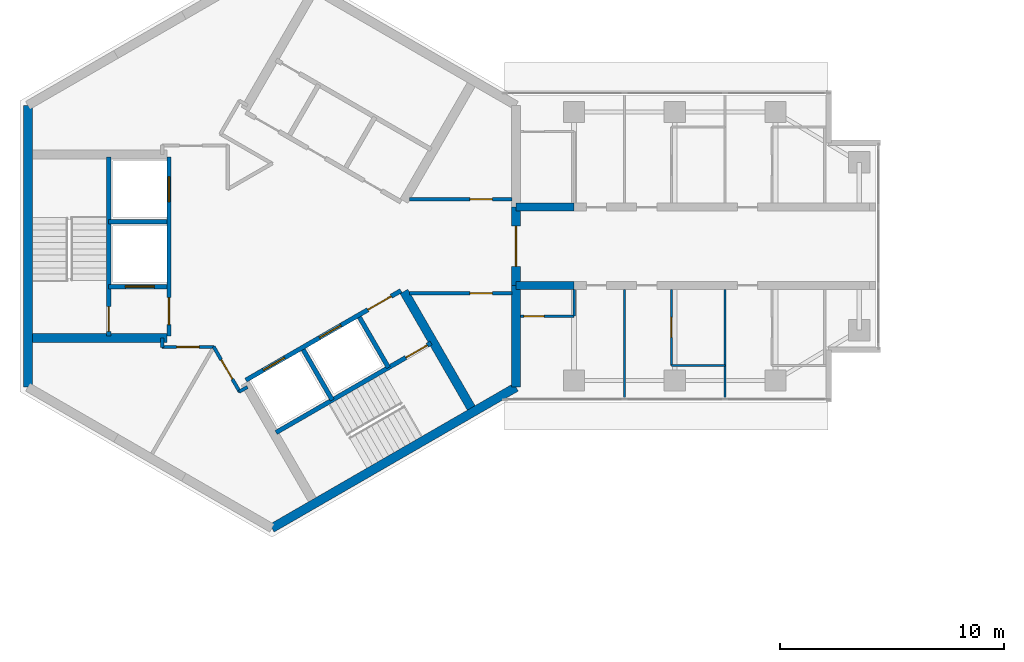
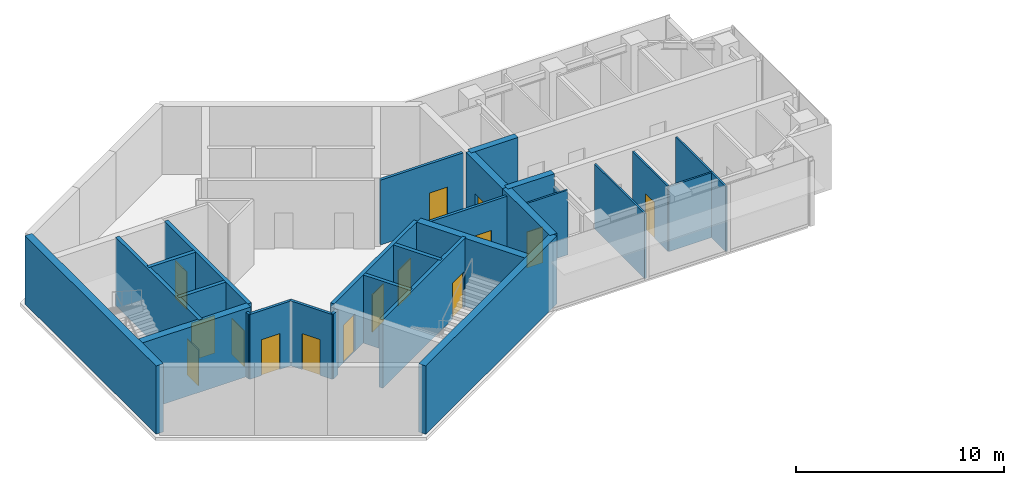
# One storey, part 5 of 11: 28 walls, 15 doors, 15 openings.
"""IFC4 building model written with IfcOpenShell, lengths in metres."""

from ifc_helpers import new_model, si_unit, direction, frame, frame_2d, origin, place, context, subcontext, project, spatial, rectangle, extrude, material, layer, layer_set, type_object, element, fill, save


model = new_model("IFC4")

# Units and contexts
model_context = context("Model", 3, precision=1e-05, world=origin(), true_north=direction((0.0, 1.0)))
body_context = subcontext(model_context, "Body", "Model", "MODEL_VIEW")
ifc_project = project(units=[si_unit("LENGTHUNIT", "METRE"), si_unit("AREAUNIT", "SQUARE_METRE"), si_unit("VOLUMEUNIT", "CUBIC_METRE"), si_unit("PLANEANGLEUNIT", "RADIAN"), si_unit("MASSUNIT", "GRAM", prefix="KILO")], contexts=[model_context])

# Site, building, storey
site_placement = place(None, origin())
site = spatial("IfcSite", under=ifc_project, at=site_placement, CompositionType="ELEMENT")
building_placement = place(site_placement, origin())
building = spatial("IfcBuilding", under=site, at=building_placement, Name="Upepo Twin Towers", CompositionType="ELEMENT")
storey_placement = place(building_placement, frame((0.0, 0.0, 279.5)))
storey = spatial("IfcBuildingStorey", under=building, at=storey_placement, Name="L68", CompositionType="ELEMENT", Elevation=279.5)

# Walls
ifc_material_1 = material(Name="Concrete C60/75", Category="concrete")
ifc_layer_1 = layer(ifc_material_1, 0.35009765625)
ifc_layer_set_1 = layer_set([ifc_layer_1], Name="Concrete C60/75")
wall_type_1 = type_object("IfcWallType", Name="Buttress wall 350 RC", PredefinedType="SHEAR", material=ifc_layer_set_1)
for number, where, z_axis, x_axis, name in (
    (1, (10.908447265625, 1.75, 0.0), (0.0, 0.0, 1.0), (1.0, 0.0, 0.0), "T1 wing A buttress wall L"),
    (2, (10.908447265625, -1.75, 0.0), (0.0, 0.0, 1.0), (1.0, 0.0, 0.0), "T1 wing A buttress wall R"),
):
    element("IfcWall", number, at=place(storey_placement, frame(where, z_axis=z_axis, x_axis=x_axis)), inside=storey, type_object=wall_type_1, Name=name, PredefinedType="SHEAR", context=body_context, shape_type="SweptSolid", body=[
        extrude(rectangle(XDim=2.591552734375, YDim=0.35009765625, at=frame_2d((1.2958984375, 0.0))), origin(), (0.0, 0.0, 1.0), 4.0),
    ])
ifc_material_2 = material(Name="Concrete C60/75", Category="concrete")
ifc_layer_2 = layer(ifc_material_2, 0.39990234375)
ifc_layer_set_2 = layer_set([ifc_layer_2], Name="Concrete C60/75")
wall_type_2 = type_object("IfcWallType", Name="Core wall 400 RC", PredefinedType="SHEAR", material=ifc_layer_set_2)
wall_1_placement = place(storey_placement, frame((10.908447265625, -6.2978515625, 0.0), z_axis=(0.0, 0.0, 1.0), x_axis=(0.0, 1.0, 0.0)))
element("IfcWall", 3, at=wall_1_placement, inside=storey, type_object=wall_type_2, Name="T1 core wall 000 R", PredefinedType="SHEAR", context=body_context, shape_type="SweptSolid", body=[
    extrude(rectangle(XDim=4.5478515625, YDim=0.39990234375, at=frame_2d((2.27392578125, 0.0))), origin(), (0.0, 0.0, 1.0), 4.0),
])

# Wall, opening, door
wall_2_placement = place(storey_placement, frame((10.908447265625, -1.75, 0.0), z_axis=(0.0, 0.0, 1.0), x_axis=(0.0, 1.0, 0.0)))
wall_2 = element("IfcWall", 4, at=wall_2_placement, inside=storey, type_object=wall_type_2, Name="T1 core wall 000", PredefinedType="SHEAR", context=body_context, shape_type="SweptSolid", body=[
    extrude(rectangle(XDim=3.5, YDim=0.39990234375, at=frame_2d((1.75, 0.0))), origin(), (0.0, 0.0, 1.0), 4.0),
])
opening_1_placement = place(wall_2_placement, frame((0.85009765625, 0.0, 0.0)))
opening_1 = element("IfcOpeningElement", 5, at=opening_1_placement, cuts=wall_2, Name="Opening D2", PredefinedType="OPENING", context=body_context, shape_type="SweptSolid", body=[
    extrude(rectangle(XDim=1.800048828125, YDim=2.10009765625, at=frame_2d((0.89990234375, 1.050048828125))), frame((0.0, 0.2099609375, 0.0), z_axis=(0.0, -1.0, 0.0), x_axis=(1.0, 0.0, 0.0)), (0.0, 0.0, 1.0), 0.419921875),
])
ifc_material_3 = material(Name="Timber doorset", Category="wood")
door_type_1 = type_object("IfcDoorType", Name="Corridor double door 1800 FD60", OperationType="DOUBLE_DOOR_DOUBLE_SWING", PredefinedType="DOOR", material=ifc_material_3)
door_1_placement = place(opening_1_placement, origin())
door_1 = element("IfcDoor", 6, at=door_1_placement, inside=storey, type_object=door_type_1, Name="T1 L68 wing A corridor door", OperationType="DOUBLE_DOOR_DOUBLE_SWING", OverallHeight=2.10009765625, OverallWidth=1.800048828125, PredefinedType="DOOR", context=body_context, shape_type="SweptSolid", body=[
    extrude(rectangle(XDim=1.800048828125, YDim=2.10009765625, at=frame_2d((0.89990234375, 1.050048828125))), frame((0.0, 0.02490234375, 0.0), z_axis=(0.0, -1.0, 0.0), x_axis=(1.0, 0.0, 0.0)), (0.0, 0.0, 1.0), 0.050048828125),
])
fill(opening_1, door_1)

# Walls
wall_3_placement = place(storey_placement, frame((-10.908447265625, 6.2978515625, 0.0), z_axis=(0.0, 0.0, 1.0), x_axis=(0.0, -1.0, 0.0)))
element("IfcWall", 7, at=wall_3_placement, inside=storey, type_object=wall_type_2, Name="T1 core wall 180", PredefinedType="SHEAR", context=body_context, shape_type="SweptSolid", body=[
    extrude(rectangle(XDim=12.595703125, YDim=0.39990234375, at=frame_2d((6.2978515625, 0.0))), origin(), (0.0, 0.0, 1.0), 4.0),
])
wall_4_placement = place(storey_placement, frame((0.0, -12.595947265625, 0.0), z_axis=(0.0, 0.0, 1.0), x_axis=(0.866021940709, 0.500005998175, 0.0)))
element("IfcWall", 8, at=wall_4_placement, inside=storey, type_object=wall_type_2, Name="T1 core wall 300", PredefinedType="SHEAR", context=body_context, shape_type="SweptSolid", body=[
    extrude(rectangle(XDim=12.595947265625, YDim=0.39990234375, at=frame_2d((6.2978515625, 0.0))), origin(), (0.0, 0.0, 1.0), 4.0),
])
ifc_material_4 = material(Name="Gypsum board on steel studs", Category="steel")
ifc_layer_3 = layer(ifc_material_4, 0.10009765625)
ifc_layer_set_3 = layer_set([ifc_layer_3], Name="Office partition 100 stud")
wall_type_3 = type_object("IfcWallType", Name="Office partition 100 stud", PredefinedType="PARTITIONING", material=ifc_layer_set_3)
for number, where, z_axis, x_axis, name in (
    (9, (15.75, -1.925048828125, 0.0), (0.0, 0.0, 1.0), (0.0, -1.0, 0.0), "T1 partition AR at 15.75"),
    (10, (20.25, -1.925048828125, 0.0), (0.0, 0.0, 1.0), (0.0, -1.0, 0.0), "T1 partition AR at 20.25"),
):
    element("IfcWall", number, at=place(storey_placement, frame(where, z_axis=z_axis, x_axis=x_axis)), inside=storey, type_object=wall_type_3, Name=name, PredefinedType="PARTITIONING", context=body_context, shape_type="SweptSolid", body=[
        extrude(rectangle(XDim=4.824951171875, YDim=0.10009765625, at=frame_2d((2.41259765625, 0.0))), origin(), (0.0, 0.0, 1.0), 3.800048828125),
    ])
wall_5_placement = place(storey_placement, frame((17.85009765625, -5.324951171875, 0.0), z_axis=(0.0, 0.0, 1.0), x_axis=(1.0, 0.0, 0.0)))
element("IfcWall", 11, at=wall_5_placement, inside=storey, type_object=wall_type_3, Name="T1 inner room partition AR at 17.85", PredefinedType="PARTITIONING", context=body_context, shape_type="SweptSolid", body=[
    extrude(rectangle(XDim=2.39990234375, YDim=0.10009765625, at=frame_2d((1.199951171875, 0.0))), origin(), (0.0, 0.0, 1.0), 3.800048828125),
])

# Wall, opening, door
wall_6_placement = place(storey_placement, frame((17.85009765625, -1.925048828125, 0.0), z_axis=(0.0, 0.0, 1.0), x_axis=(0.0, -1.0, 0.0)))
wall_6 = element("IfcWall", 12, at=wall_6_placement, inside=storey, type_object=wall_type_3, Name="T1 inner room partition AR end at 17.85", PredefinedType="PARTITIONING", context=body_context, shape_type="SweptSolid", body=[
    extrude(rectangle(XDim=3.39990234375, YDim=0.10009765625, at=frame_2d((1.699951171875, 0.0))), origin(), (0.0, 0.0, 1.0), 3.800048828125),
])
opening_2_placement = place(wall_6_placement, frame((1.25, 0.0, 0.0)))
opening_2 = element("IfcOpeningElement", 13, at=opening_2_placement, cuts=wall_6, Name="Opening D14", PredefinedType="OPENING", context=body_context, shape_type="SweptSolid", body=[
    extrude(rectangle(XDim=0.89990234375, YDim=2.10009765625, at=frame_2d((0.449951171875, 1.050048828125))), frame((0.0, 0.06005859375, 0.0), z_axis=(0.0, -1.0, 0.0), x_axis=(1.0, 0.0, 0.0)), (0.0, 0.0, 1.0), 0.1201171875),
])
ifc_material_5 = material(Name="Timber doorset", Category="wood")
door_type_2 = type_object("IfcDoorType", Name="Office door 900 FD30", OperationType="SINGLE_SWING_LEFT", PredefinedType="DOOR", material=ifc_material_5)
door_2_placement = place(opening_2_placement, origin())
door_2 = element("IfcDoor", 14, at=door_2_placement, inside=storey, type_object=door_type_2, Name="T1 L68 inner room door", OperationType="SINGLE_SWING_LEFT", OverallHeight=2.10009765625, OverallWidth=0.89990234375, PredefinedType="DOOR", context=body_context, shape_type="SweptSolid", body=[
    extrude(rectangle(XDim=0.89990234375, YDim=2.10009765625, at=frame_2d((0.449951171875, 1.050048828125))), frame((0.0, 0.02490234375, 0.0), z_axis=(0.0, -1.0, 0.0), x_axis=(1.0, 0.0, 0.0)), (0.0, 0.0, 1.0), 0.050048828125),
])
fill(opening_2, door_2)

wall_7_placement = place(storey_placement, frame((11.10791015625, -3.125, 0.0), z_axis=(0.0, 0.0, 1.0), x_axis=(1.0, 0.0, 0.0)))
wall_7 = element("IfcWall", 15, at=wall_7_placement, inside=storey, type_object=wall_type_3, Name="T1 WC bay partition AR at 11.11", PredefinedType="PARTITIONING", context=body_context, shape_type="SweptSolid", body=[
    extrude(rectangle(XDim=2.400146484375, YDim=0.10009765625, at=frame_2d((1.2001953125, 0.0))), origin(), (0.0, 0.0, 1.0), 3.800048828125),
])
opening_3_placement = place(wall_7_placement, frame((0.14990234375, 0.0, 0.0)))
opening_3 = element("IfcOpeningElement", 16, at=opening_3_placement, cuts=wall_7, Name="Opening D14", PredefinedType="OPENING", context=body_context, shape_type="SweptSolid", body=[
    extrude(rectangle(XDim=0.89990234375, YDim=2.10009765625, at=frame_2d((0.449951171875, 1.050048828125))), frame((0.0, 0.06005859375, 0.0), z_axis=(0.0, -1.0, 0.0), x_axis=(1.0, 0.0, 0.0)), (0.0, 0.0, 1.0), 0.1201171875),
])
door_3_placement = place(opening_3_placement, origin())
door_3 = element("IfcDoor", 17, at=door_3_placement, inside=storey, type_object=door_type_2, Name="T1 L68 WC bay inner room door", OperationType="SINGLE_SWING_LEFT", OverallHeight=2.10009765625, OverallWidth=0.89990234375, PredefinedType="DOOR", context=body_context, shape_type="SweptSolid", body=[
    extrude(rectangle(XDim=0.89990234375, YDim=2.10009765625, at=frame_2d((0.449951171875, 1.050048828125))), frame((0.0, 0.02490234375, 0.0), z_axis=(0.0, -1.0, 0.0), x_axis=(1.0, 0.0, 0.0)), (0.0, 0.0, 1.0), 0.050048828125),
])
fill(opening_3, door_3)

# Wall
wall_8_placement = place(storey_placement, frame((13.508056640625, -1.925048828125, 0.0), z_axis=(0.0, 0.0, 1.0), x_axis=(0.0, -1.0, 0.0)))
element("IfcWall", 18, at=wall_8_placement, inside=storey, type_object=wall_type_3, Name="T1 WC bay partition AR end at 13.51", PredefinedType="PARTITIONING", context=body_context, shape_type="SweptSolid", body=[
    extrude(rectangle(XDim=1.199951171875, YDim=0.10009765625, at=frame_2d((0.60009765625, 0.0))), origin(), (0.0, 0.0, 1.0), 3.266845703125),
])

# Wall, openings, doors
ifc_material_6 = material(Name="Concrete C40/50", Category="concrete")
ifc_layer_4 = layer(ifc_material_6, 0.199951171875)
ifc_layer_set_4 = layer_set([ifc_layer_4], Name="Concrete C40/50")
wall_type_4 = type_object("IfcWallType", Name="Shaft wall 200 RC", PredefinedType="SHEAR", material=ifc_layer_set_4)
wall_9_placement = place(storey_placement, frame((-4.60009765625, 4.0, 0.0), z_axis=(0.0, 0.0, 1.0), x_axis=(0.0, -1.0, 0.0)))
wall_9 = element("IfcWall", 19, at=wall_9_placement, inside=storey, type_object=wall_type_4, Name="T1 core W180 front wall", PredefinedType="SHEAR", context=body_context, shape_type="SweptSolid", body=[
    extrude(rectangle(XDim=8.0, YDim=0.199951171875, at=frame_2d((4.0, 0.0))), origin(), (0.0, 0.0, 1.0), 4.0),
])
opening_4_placement = place(wall_9_placement, frame((6.300048828125, 0.0, 0.0)))
opening_4 = element("IfcOpeningElement", 20, at=opening_4_placement, cuts=wall_9, Name="Opening D4", PredefinedType="OPENING", context=body_context, shape_type="SweptSolid", body=[
    extrude(rectangle(XDim=1.199951171875, YDim=2.10009765625, at=frame_2d((0.60009765625, 1.050048828125))), frame((0.0, 0.10986328125, 0.0), z_axis=(0.0, -1.0, 0.0), x_axis=(1.0, 0.0, 0.0)), (0.0, 0.0, 1.0), 0.219970703125),
])
opening_5_placement = place(wall_9_placement, frame((0.89990234375, 0.0, 0.0)))
opening_5 = element("IfcOpeningElement", 21, at=opening_5_placement, cuts=wall_9, Name="Opening LD1", PredefinedType="OPENING", context=body_context, shape_type="SweptSolid", body=[
    extrude(rectangle(XDim=1.10009765625, YDim=2.199951171875, at=frame_2d((0.550048828125, 1.10009765625))), frame((0.0, 0.10986328125, 0.0), z_axis=(0.0, -1.0, 0.0), x_axis=(1.0, 0.0, 0.0)), (0.0, 0.0, 1.0), 0.219970703125),
])
ifc_material_7 = material(Name="Steel doorset", Category="steel")
door_type_3 = type_object("IfcDoorType", Name="Lift landing door 1100", OperationType="DOUBLE_DOOR_SLIDING", PredefinedType="DOOR", material=ifc_material_7)
door_4_placement = place(opening_5_placement, origin())
door_4 = element("IfcDoor", 22, at=door_4_placement, inside=storey, type_object=door_type_3, Name="T1 L68 lift SV1 landing door", OperationType="DOUBLE_DOOR_SLIDING", OverallHeight=2.199951171875, OverallWidth=1.10009765625, PredefinedType="DOOR", context=body_context, shape_type="SweptSolid", body=[
    extrude(rectangle(XDim=1.10009765625, YDim=2.199951171875, at=frame_2d((0.550048828125, 1.10009765625))), frame((0.0, 0.02490234375, 0.0), z_axis=(0.0, -1.0, 0.0), x_axis=(1.0, 0.0, 0.0)), (0.0, 0.0, 1.0), 0.050048828125),
])
fill(opening_5, door_4)
ifc_material_8 = material(Name="Timber doorset", Category="wood")
door_type_4 = type_object("IfcDoorType", Name="Lobby door 1200 FD60", OperationType="SINGLE_SWING_LEFT", PredefinedType="DOOR", material=ifc_material_8)
door_5_placement = place(opening_4_placement, origin())
door_5 = element("IfcDoor", 23, at=door_5_placement, inside=storey, type_object=door_type_4, Name="T1 L68 W180 lobby door", OperationType="SINGLE_SWING_RIGHT", OverallHeight=2.10009765625, OverallWidth=1.199951171875, PredefinedType="DOOR", context=body_context, shape_type="SweptSolid", body=[
    extrude(rectangle(XDim=1.199951171875, YDim=2.10009765625, at=frame_2d((0.60009765625, 1.050048828125))), frame((0.0, 0.02490234375, 0.0), z_axis=(0.0, -1.0, 0.0), x_axis=(1.0, 0.0, 0.0)), (0.0, 0.0, 1.0), 0.050048828125),
])
fill(opening_4, door_5)

# Wall
wall_10_placement = place(storey_placement, frame((-4.699951171875, 1.10009765625, 0.0), z_axis=(0.0, 0.0, 1.0), x_axis=(-1.0, 0.0, 0.0)))
element("IfcWall", 24, at=wall_10_placement, inside=storey, type_object=wall_type_4, Name="T1 core W180 shaft divider", PredefinedType="SHEAR", context=body_context, shape_type="SweptSolid", body=[
    extrude(rectangle(XDim=2.60009765625, YDim=0.199951171875, at=frame_2d((1.300048828125, 0.0))), origin(), (0.0, 0.0, 1.0), 4.0),
])

# Wall, opening, door
wall_11_placement = place(storey_placement, frame((-4.699951171875, -1.800048828125, 0.0), z_axis=(0.0, 0.0, 1.0), x_axis=(-1.0, 0.0, 0.0)))
wall_11 = element("IfcWall", 25, at=wall_11_placement, inside=storey, type_object=wall_type_4, Name="T1 core W180 lobby wall", PredefinedType="SHEAR", context=body_context, shape_type="SweptSolid", body=[
    extrude(rectangle(XDim=2.60009765625, YDim=0.199951171875, at=frame_2d((1.300048828125, 0.0))), origin(), (0.0, 0.0, 1.0), 4.0),
])
opening_6_placement = place(wall_11_placement, frame((0.550048828125, 0.0, 0.0)))
opening_6 = element("IfcOpeningElement", 26, at=opening_6_placement, cuts=wall_11, Name="Opening LD2", PredefinedType="OPENING", context=body_context, shape_type="SweptSolid", body=[
    extrude(rectangle(XDim=1.300048828125, YDim=2.199951171875, at=frame_2d((0.64990234375, 1.10009765625))), frame((0.0, 0.10986328125, 0.0), z_axis=(0.0, -1.0, 0.0), x_axis=(1.0, 0.0, 0.0)), (0.0, 0.0, 1.0), 0.219970703125),
])
ifc_material_9 = material(Name="Steel doorset", Category="steel")
door_type_5 = type_object("IfcDoorType", Name="Firefighting lift landing door 1300", OperationType="DOUBLE_DOOR_SLIDING", PredefinedType="DOOR", material=ifc_material_9)
door_6_placement = place(opening_6_placement, origin())
door_6 = element("IfcDoor", 27, at=door_6_placement, inside=storey, type_object=door_type_5, Name="T1 L68 firefighting lift landing door", OperationType="DOUBLE_DOOR_SLIDING", OverallHeight=2.199951171875, OverallWidth=1.300048828125, PredefinedType="DOOR", context=body_context, shape_type="SweptSolid", body=[
    extrude(rectangle(XDim=1.300048828125, YDim=2.199951171875, at=frame_2d((0.64990234375, 1.10009765625))), frame((0.0, 0.02490234375, 0.0), z_axis=(0.0, -1.0, 0.0), x_axis=(1.0, 0.0, 0.0)), (0.0, 0.0, 1.0), 0.050048828125),
])
fill(opening_6, door_6)

wall_12_placement = place(storey_placement, frame((-7.300048828125, 4.0, 0.0), z_axis=(0.0, 0.0, 1.0), x_axis=(0.0, -1.0, 0.0)))
wall_12 = element("IfcWall", 28, at=wall_12_placement, inside=storey, type_object=wall_type_4, Name="T1 core W180 stair wall", PredefinedType="SHEAR", context=body_context, shape_type="SweptSolid", body=[
    extrude(rectangle(XDim=8.0, YDim=0.199951171875, at=frame_2d((4.0, 0.0))), origin(), (0.0, 0.0, 1.0), 4.0),
])
opening_7_placement = place(wall_12_placement, frame((6.699951171875, 0.0, 0.0)))
opening_7 = element("IfcOpeningElement", 29, at=opening_7_placement, cuts=wall_12, Name="Opening D3", PredefinedType="OPENING", context=body_context, shape_type="SweptSolid", body=[
    extrude(rectangle(XDim=1.10009765625, YDim=2.10009765625, at=frame_2d((0.550048828125, 1.050048828125))), frame((0.0, 0.10986328125, 0.0), z_axis=(0.0, -1.0, 0.0), x_axis=(1.0, 0.0, 0.0)), (0.0, 0.0, 1.0), 0.219970703125),
])
ifc_material_10 = material(Name="Timber doorset", Category="wood")
door_type_6 = type_object("IfcDoorType", Name="Stair door 1100 FD60", OperationType="SINGLE_SWING_LEFT", PredefinedType="DOOR", material=ifc_material_10)
door_7_placement = place(opening_7_placement, origin())
door_7 = element("IfcDoor", 30, at=door_7_placement, inside=storey, type_object=door_type_6, Name="T1 L68 stair door", OperationType="SINGLE_SWING_RIGHT", OverallHeight=2.10009765625, OverallWidth=1.10009765625, PredefinedType="DOOR", context=body_context, shape_type="SweptSolid", body=[
    extrude(rectangle(XDim=1.10009765625, YDim=2.10009765625, at=frame_2d((0.550048828125, 1.050048828125))), frame((0.0, 0.02490234375, 0.0), z_axis=(0.0, -1.0, 0.0), x_axis=(1.0, 0.0, 0.0)), (0.0, 0.0, 1.0), 0.050048828125),
])
fill(opening_7, door_7)

# Wall, openings, doors
wall_13_placement = place(storey_placement, frame((-1.1640625, -5.983642578125, 0.0), z_axis=(0.0, 0.0, 1.0), x_axis=(0.866026010844, 0.49999894854, 0.0)))
wall_13 = element("IfcWall", 31, at=wall_13_placement, inside=storey, type_object=wall_type_4, Name="T1 core W300 front wall", PredefinedType="SHEAR", context=body_context, shape_type="SweptSolid", body=[
    extrude(rectangle(XDim=8.0, YDim=0.199951171875, at=frame_2d((4.0, 0.0))), origin(), (0.0, 0.0, 1.0), 4.0),
])
opening_8_placement = place(wall_13_placement, frame((6.300048828125, 0.0, 0.0)))
opening_8 = element("IfcOpeningElement", 32, at=opening_8_placement, cuts=wall_13, Name="Opening D4", PredefinedType="OPENING", context=body_context, shape_type="SweptSolid", body=[
    extrude(rectangle(XDim=1.199951171875, YDim=2.10009765625, at=frame_2d((0.60009765625, 1.050048828125))), frame((0.0, 0.10986328125, 0.0), z_axis=(0.0, -1.0, 0.0), x_axis=(1.0, 0.0, 0.0)), (0.0, 0.0, 1.0), 0.219970703125),
])
opening_9_placement = place(wall_13_placement, frame((0.89990234375, 0.0, 0.0)))
opening_9 = element("IfcOpeningElement", 33, at=opening_9_placement, cuts=wall_13, Name="Opening LD1", PredefinedType="OPENING", context=body_context, shape_type="SweptSolid", body=[
    extrude(rectangle(XDim=1.10009765625, YDim=2.199951171875, at=frame_2d((0.550048828125, 1.10009765625))), frame((0.0, 0.10986328125, 0.0), z_axis=(0.0, -1.0, 0.0), x_axis=(1.0, 0.0, 0.0)), (0.0, 0.0, 1.0), 0.219970703125),
])
opening_10_placement = place(wall_13_placement, frame((3.800048828125, 0.0, 0.0)))
opening_10 = element("IfcOpeningElement", 34, at=opening_10_placement, cuts=wall_13, Name="Opening LD1", PredefinedType="OPENING", context=body_context, shape_type="SweptSolid", body=[
    extrude(rectangle(XDim=1.10009765625, YDim=2.199951171875, at=frame_2d((0.550048828125, 1.10009765625))), frame((0.0, 0.10986328125, 0.0), z_axis=(0.0, -1.0, 0.0), x_axis=(1.0, 0.0, 0.0)), (0.0, 0.0, 1.0), 0.219970703125),
])
door_8_placement = place(opening_9_placement, origin())
door_8 = element("IfcDoor", 35, at=door_8_placement, inside=storey, type_object=door_type_3, Name="T1 L68 lift TL1 landing door", OperationType="DOUBLE_DOOR_SLIDING", OverallHeight=2.199951171875, OverallWidth=1.10009765625, PredefinedType="DOOR", context=body_context, shape_type="SweptSolid", body=[
    extrude(rectangle(XDim=1.10009765625, YDim=2.199951171875, at=frame_2d((0.550048828125, 1.10009765625))), frame((0.0, 0.02490234375, 0.0), z_axis=(0.0, -1.0, 0.0), x_axis=(1.0, 0.0, 0.0)), (0.0, 0.0, 1.0), 0.050048828125),
])
fill(opening_9, door_8)
door_9_placement = place(opening_10_placement, origin())
door_9 = element("IfcDoor", 36, at=door_9_placement, inside=storey, type_object=door_type_3, Name="T1 L68 lift TL2 landing door", OperationType="DOUBLE_DOOR_SLIDING", OverallHeight=2.199951171875, OverallWidth=1.10009765625, PredefinedType="DOOR", context=body_context, shape_type="SweptSolid", body=[
    extrude(rectangle(XDim=1.10009765625, YDim=2.199951171875, at=frame_2d((0.550048828125, 1.10009765625))), frame((0.0, 0.02490234375, 0.0), z_axis=(0.0, -1.0, 0.0), x_axis=(1.0, 0.0, 0.0)), (0.0, 0.0, 1.0), 0.050048828125),
])
fill(opening_10, door_9)
door_10_placement = place(opening_8_placement, origin())
door_10 = element("IfcDoor", 37, at=door_10_placement, inside=storey, type_object=door_type_4, Name="T1 L68 W300 lobby door", OperationType="SINGLE_SWING_RIGHT", OverallHeight=2.10009765625, OverallWidth=1.199951171875, PredefinedType="DOOR", context=body_context, shape_type="SweptSolid", body=[
    extrude(rectangle(XDim=1.199951171875, YDim=2.10009765625, at=frame_2d((0.60009765625, 1.050048828125))), frame((0.0, 0.02490234375, 0.0), z_axis=(0.0, -1.0, 0.0), x_axis=(1.0, 0.0, 0.0)), (0.0, 0.0, 1.0), 0.050048828125),
])
fill(opening_8, door_10)

# Walls
wall_14_placement = place(storey_placement, frame((1.3974609375, -4.620361328125, 0.0), z_axis=(0.0, 0.0, 1.0), x_axis=(0.499936506574, -0.866062058628, 0.0)))
element("IfcWall", 38, at=wall_14_placement, inside=storey, type_object=wall_type_4, Name="T1 core W300 shaft divider", PredefinedType="SHEAR", context=body_context, shape_type="SweptSolid", body=[
    extrude(rectangle(XDim=2.599853515625, YDim=0.199951171875, at=frame_2d((1.2998046875, 0.0))), origin(), (0.0, 0.0, 1.0), 4.0),
])
wall_15_placement = place(storey_placement, frame((3.908935546875, -3.17041015625, 0.0), z_axis=(0.0, 0.0, 1.0), x_axis=(0.49997716683, -0.86603858612, 0.0)))
element("IfcWall", 39, at=wall_15_placement, inside=storey, type_object=wall_type_4, Name="T1 core W300 lobby wall", PredefinedType="SHEAR", context=body_context, shape_type="SweptSolid", body=[
    extrude(rectangle(XDim=2.599609375, YDim=0.199951171875, at=frame_2d((1.2998046875, 0.0))), origin(), (0.0, 0.0, 1.0), 4.0),
])

# Wall, opening, door
wall_16_placement = place(storey_placement, frame((0.185791015625, -8.322021484375, 0.0), z_axis=(0.0, 0.0, 1.0), x_axis=(0.866026010844, 0.49999894854, 0.0)))
wall_16 = element("IfcWall", 40, at=wall_16_placement, inside=storey, type_object=wall_type_4, Name="T1 core W300 stair wall", PredefinedType="SHEAR", context=body_context, shape_type="SweptSolid", body=[
    extrude(rectangle(XDim=8.0, YDim=0.199951171875, at=frame_2d((4.0, 0.0))), origin(), (0.0, 0.0, 1.0), 4.0),
])
opening_11_placement = place(wall_16_placement, frame((6.699951171875, 0.0, 0.0)))
opening_11 = element("IfcOpeningElement", 41, at=opening_11_placement, cuts=wall_16, Name="Opening D3", PredefinedType="OPENING", context=body_context, shape_type="SweptSolid", body=[
    extrude(rectangle(XDim=1.10009765625, YDim=2.10009765625, at=frame_2d((0.550048828125, 1.050048828125))), frame((0.0, 0.10986328125, 0.0), z_axis=(0.0, -1.0, 0.0), x_axis=(1.0, 0.0, 0.0)), (0.0, 0.0, 1.0), 0.219970703125),
])
door_11_placement = place(opening_11_placement, origin())
door_11 = element("IfcDoor", 42, at=door_11_placement, inside=storey, type_object=door_type_6, Name="T1 L68 stair door", OperationType="SINGLE_SWING_RIGHT", OverallHeight=2.10009765625, OverallWidth=1.10009765625, PredefinedType="DOOR", context=body_context, shape_type="SweptSolid", body=[
    extrude(rectangle(XDim=1.10009765625, YDim=2.10009765625, at=frame_2d((0.550048828125, 1.050048828125))), frame((0.0, 0.02490234375, 0.0), z_axis=(0.0, -1.0, 0.0), x_axis=(1.0, 0.0, 0.0)), (0.0, 0.0, 1.0), 0.050048828125),
])
fill(opening_11, door_11)

# Walls
ifc_material_11 = material(Name="Concrete C40/50", Category="concrete")
ifc_layer_5 = layer(ifc_material_11, 0.39990234375)
ifc_layer_set_5 = layer_set([ifc_layer_5], Name="Concrete C40/50")
wall_type_5 = type_object("IfcWallType", Name="Shaft wall 400 RC", PredefinedType="SHEAR", material=ifc_layer_set_5)
for number, where, z_axis, x_axis, name in (
    (43, (-4.699951171875, -4.10009765625, 0.0), (0.0, 0.0, 1.0), (-1.0, 0.0, 0.0), "T1 core W180 side wall N"),
    (44, (5.900634765625, -2.020263671875, 0.0), (0.0, 0.0, 1.0), (0.499997979876, -0.866026570101, 0.0), "T1 core W300 side wall N"),
):
    element("IfcWall", number, at=place(storey_placement, frame(where, z_axis=z_axis, x_axis=x_axis)), inside=storey, type_object=wall_type_5, Name=name, PredefinedType="SHEAR", context=body_context, shape_type="SweptSolid", body=[
        extrude(rectangle(XDim=6.00830078125, YDim=0.39990234375, at=frame_2d((3.004150390625, 0.0))), origin(), (0.0, 0.0, 1.0), 4.0),
    ])

# Wall, opening, door
ifc_material_12 = material(Name="Gypsum board on steel studs", Category="steel")
ifc_layer_6 = layer(ifc_material_12, 0.14990234375)
ifc_layer_set_6 = layer_set([ifc_layer_6], Name="Teaching partition 150 acoustic")
wall_type_6 = type_object("IfcWallType", Name="Teaching partition 150 acoustic", PredefinedType="PARTITIONING", material=ifc_layer_set_6)
wall_17_placement = place(storey_placement, frame((-1.43701171875, -6.5107421875, 0.0), z_axis=(0.0, 0.0, 1.0), x_axis=(-0.500074377092, 0.865982457891, 0.0)))
wall_17 = element("IfcWall", 45, at=wall_17_placement, inside=storey, type_object=wall_type_6, Name="T1 core room partition 1", PredefinedType="PARTITIONING", context=body_context, shape_type="SweptSolid", body=[
    extrude(rectangle(XDim=2.342041015625, YDim=0.14990234375, at=frame_2d((1.1708984375, 0.0))), origin(), (0.0, 0.0, 1.0), 3.800048828125),
])
opening_12_placement = place(wall_17_placement, frame((0.660888671875, 0.0, 0.0)))
opening_12 = element("IfcOpeningElement", 46, at=opening_12_placement, cuts=wall_17, Name="Opening D1", PredefinedType="OPENING", context=body_context, shape_type="SweptSolid", body=[
    extrude(rectangle(XDim=1.0, YDim=2.10009765625, at=frame_2d((0.5, 1.050048828125))), frame((0.0, 0.0849609375, 0.0), z_axis=(0.0, -1.0, 0.0), x_axis=(1.0, 0.0, 0.0)), (0.0, 0.0, 1.0), 0.169921875),
])
ifc_material_13 = material(Name="Timber doorset", Category="wood")
door_type_7 = type_object("IfcDoorType", Name="Room door 1000 FD30", OperationType="SINGLE_SWING_LEFT", PredefinedType="DOOR", material=ifc_material_13)
door_12_placement = place(opening_12_placement, origin())
door_12 = element("IfcDoor", 47, at=door_12_placement, inside=storey, type_object=door_type_7, Name="T1 L68 core room door K2", OperationType="SINGLE_SWING_LEFT", OverallHeight=2.10009765625, OverallWidth=1.0, PredefinedType="DOOR", context=body_context, shape_type="SweptSolid", body=[
    extrude(rectangle(XDim=1.0, YDim=2.10009765625, at=frame_2d((0.5, 1.050048828125))), frame((0.0, 0.02490234375, 0.0), z_axis=(0.0, -1.0, 0.0), x_axis=(1.0, 0.0, 0.0)), (0.0, 0.0, 1.0), 0.050048828125),
])
fill(opening_12, door_12)

wall_18_placement = place(storey_placement, frame((-2.578125, -4.5, 0.0), z_axis=(0.0, 0.0, 1.0), x_axis=(-1.0, 0.0, 0.0)))
wall_18 = element("IfcWall", 48, at=wall_18_placement, inside=storey, type_object=wall_type_6, Name="T1 core room partition 2", PredefinedType="PARTITIONING", context=body_context, shape_type="SweptSolid", body=[
    extrude(rectangle(XDim=2.341796875, YDim=0.14990234375, at=frame_2d((1.1708984375, 0.0))), origin(), (0.0, 0.0, 1.0), 3.800048828125),
])
opening_13_placement = place(wall_18_placement, frame((0.68115234375, 0.0, 0.0)))
opening_13 = element("IfcOpeningElement", 49, at=opening_13_placement, cuts=wall_18, Name="Opening D1", PredefinedType="OPENING", context=body_context, shape_type="SweptSolid", body=[
    extrude(rectangle(XDim=1.0, YDim=2.10009765625, at=frame_2d((0.5, 1.050048828125))), frame((0.0, 0.0849609375, 0.0), z_axis=(0.0, -1.0, 0.0), x_axis=(1.0, 0.0, 0.0)), (0.0, 0.0, 1.0), 0.169921875),
])
door_13_placement = place(opening_13_placement, origin())
door_13 = element("IfcDoor", 50, at=door_13_placement, inside=storey, type_object=door_type_7, Name="T1 L68 core room door K1", OperationType="SINGLE_SWING_RIGHT", OverallHeight=2.10009765625, OverallWidth=1.0, PredefinedType="DOOR", context=body_context, shape_type="SweptSolid", body=[
    extrude(rectangle(XDim=1.0, YDim=2.10009765625, at=frame_2d((0.5, 1.050048828125))), frame((0.0, 0.02490234375, 0.0), z_axis=(0.0, -1.0, 0.0), x_axis=(1.0, 0.0, 0.0)), (0.0, 0.0, 1.0), 0.050048828125),
])
fill(opening_13, door_13)

# Wall
wall_19_placement = place(storey_placement, frame((-4.89990234375, -4.52001953125, 0.0), z_axis=(0.0, 0.0, 1.0), x_axis=(0.0, 1.0, 0.0)))
element("IfcWall", 51, at=wall_19_placement, inside=storey, type_object=wall_type_6, Name="T1 core room partition 3", PredefinedType="PARTITIONING", context=body_context, shape_type="SweptSolid", body=[
    extrude(rectangle(XDim=0.429931640625, YDim=0.14990234375, at=frame_2d((0.21484375, 0.0))), origin(), (0.0, 0.0, 1.0), 3.800048828125),
])

# Wall, opening, door
wall_20_placement = place(storey_placement, frame((6.142578125, 2.10009765625, 0.0), z_axis=(0.0, 0.0, 1.0), x_axis=(1.0, 0.0, 0.0)))
wall_20 = element("IfcWall", 52, at=wall_20_placement, inside=storey, type_object=wall_type_6, Name="T1 core room partition 11", PredefinedType="PARTITIONING", context=body_context, shape_type="SweptSolid", body=[
    extrude(rectangle(XDim=4.57568359375, YDim=0.14990234375, at=frame_2d((2.287841796875, 0.0))), origin(), (0.0, 0.0, 1.0), 3.800048828125),
])
opening_14_placement = place(wall_20_placement, frame((2.702880859375, 0.0, 0.0)))
opening_14 = element("IfcOpeningElement", 53, at=opening_14_placement, cuts=wall_20, Name="Opening D1", PredefinedType="OPENING", context=body_context, shape_type="SweptSolid", body=[
    extrude(rectangle(XDim=1.0, YDim=2.10009765625, at=frame_2d((0.5, 1.050048828125))), frame((0.0, 0.0849609375, 0.0), z_axis=(0.0, -1.0, 0.0), x_axis=(1.0, 0.0, 0.0)), (0.0, 0.0, 1.0), 0.169921875),
])
door_14_placement = place(opening_14_placement, origin())
door_14 = element("IfcDoor", 54, at=door_14_placement, inside=storey, type_object=door_type_7, Name="T1 L68 core room door K4", OperationType="SINGLE_SWING_RIGHT", OverallHeight=2.10009765625, OverallWidth=1.0, PredefinedType="DOOR", context=body_context, shape_type="SweptSolid", body=[
    extrude(rectangle(XDim=1.0, YDim=2.10009765625, at=frame_2d((0.5, 1.050048828125))), frame((0.0, 0.02490234375, 0.0), z_axis=(0.0, -1.0, 0.0), x_axis=(1.0, 0.0, 0.0)), (0.0, 0.0, 1.0), 0.050048828125),
])
fill(opening_14, door_14)

wall_21_placement = place(storey_placement, frame((10.71826171875, -2.10009765625, 0.0), z_axis=(0.0, 0.0, 1.0), x_axis=(-1.0, 0.0, 0.0)))
wall_21 = element("IfcWall", 55, at=wall_21_placement, inside=storey, type_object=wall_type_6, Name="T1 core room partition 12", PredefinedType="PARTITIONING", context=body_context, shape_type="SweptSolid", body=[
    extrude(rectangle(XDim=4.57568359375, YDim=0.14990234375, at=frame_2d((2.287841796875, 0.0))), origin(), (0.0, 0.0, 1.0), 3.800048828125),
])
opening_15_placement = place(wall_21_placement, frame((0.87255859375, 0.0, 0.0)))
opening_15 = element("IfcOpeningElement", 56, at=opening_15_placement, cuts=wall_21, Name="Opening D1", PredefinedType="OPENING", context=body_context, shape_type="SweptSolid", body=[
    extrude(rectangle(XDim=1.0, YDim=2.10009765625, at=frame_2d((0.5, 1.050048828125))), frame((0.0, 0.0849609375, 0.0), z_axis=(0.0, -1.0, 0.0), x_axis=(1.0, 0.0, 0.0)), (0.0, 0.0, 1.0), 0.169921875),
])
door_15_placement = place(opening_15_placement, origin())
door_15 = element("IfcDoor", 57, at=door_15_placement, inside=storey, type_object=door_type_7, Name="T1 L68 core room door K3", OperationType="SINGLE_SWING_LEFT", OverallHeight=2.10009765625, OverallWidth=1.0, PredefinedType="DOOR", context=body_context, shape_type="SweptSolid", body=[
    extrude(rectangle(XDim=1.0, YDim=2.10009765625, at=frame_2d((0.5, 1.050048828125))), frame((0.0, 0.02490234375, 0.0), z_axis=(0.0, -1.0, 0.0), x_axis=(1.0, 0.0, 0.0)), (0.0, 0.0, 1.0), 0.050048828125),
])
fill(opening_15, door_15)

# Wall
wall_22_placement = place(storey_placement, frame((-1.092041015625, -6.28857421875, 0.0), z_axis=(0.0, 0.0, 1.0), x_axis=(-0.866138304741, -0.499804398801, 0.0)))
element("IfcWall", 58, at=wall_22_placement, inside=storey, type_object=wall_type_6, Name="T1 core room partition 13", PredefinedType="PARTITIONING", context=body_context, shape_type="SweptSolid", body=[
    extrude(rectangle(XDim=0.429931640625, YDim=0.14990234375, at=frame_2d((0.21484375, 0.0))), origin(), (0.0, 0.0, 1.0), 3.800048828125),
])

save(model, "model.ifc")
